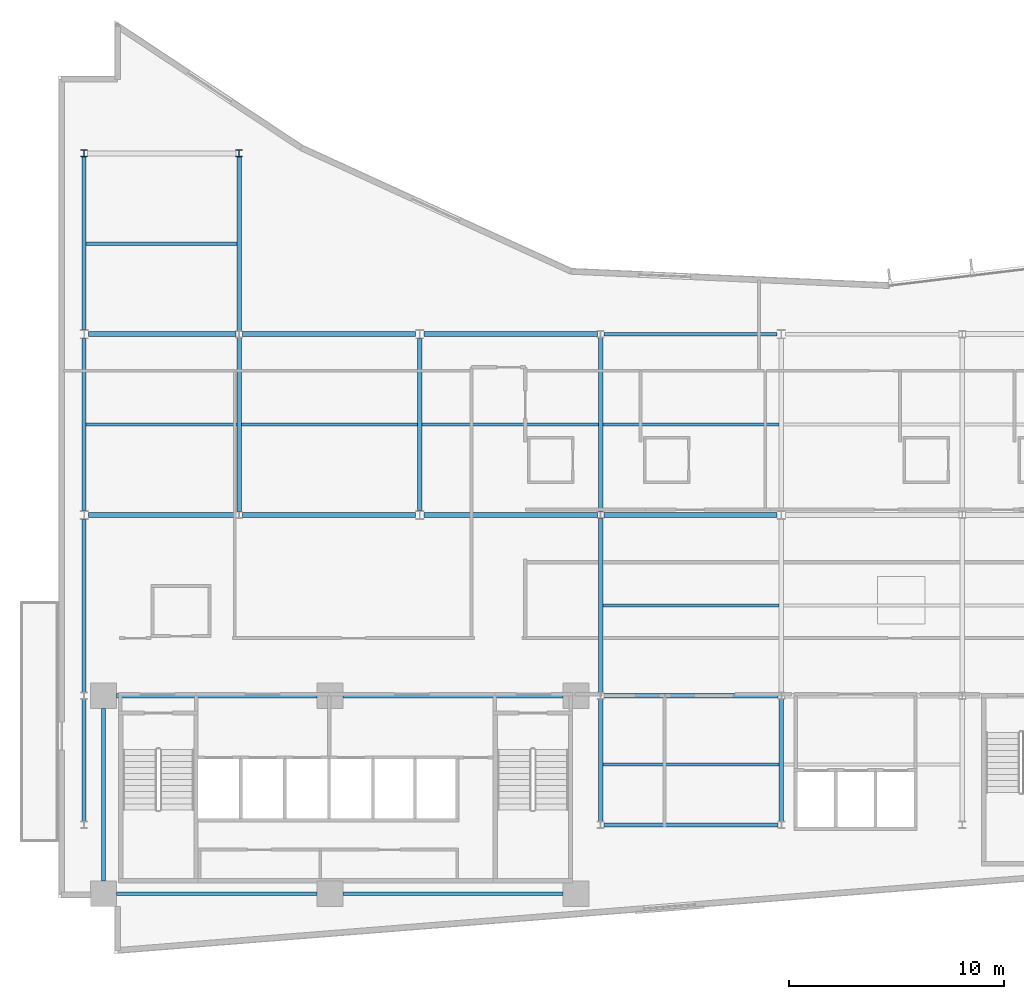
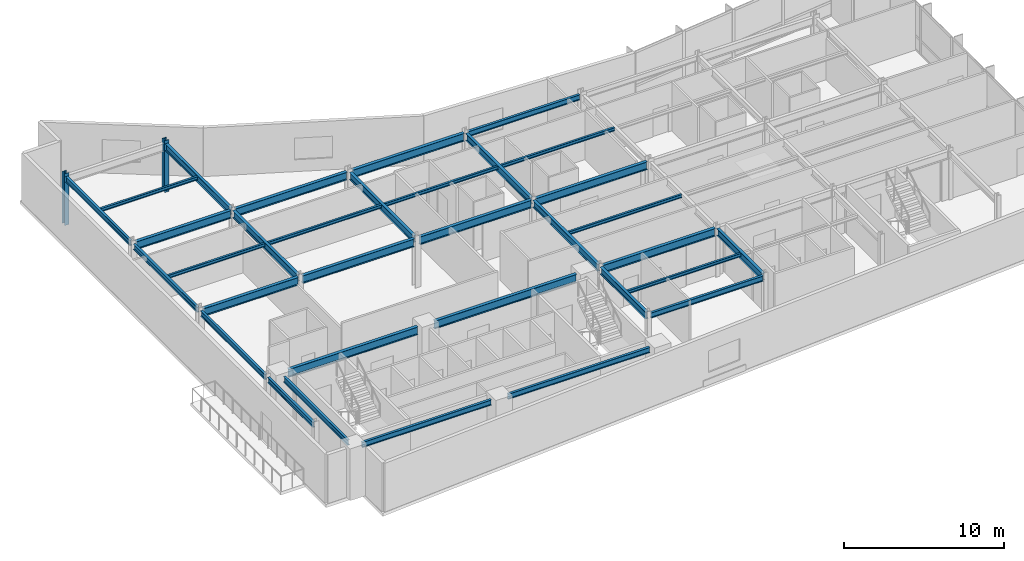
# One storey, part 3 of 18: 33 beams, 2 columns.
"""IFC4 building model written with IfcOpenShell, lengths in metres."""

from ifc_helpers import new_model, si_unit, direction, frame, origin, origin_2d, place, context, subcontext, project, spatial, i_section, extrude, material, material_profile, profile_set, type_object, element, save


model = new_model("IFC4")

# Units and contexts
model_context = context("Model", 3, precision=1e-05, world=origin(), true_north=direction((0.0, 1.0)))
body_context = subcontext(model_context, "Body", "Model", "MODEL_VIEW")
ifc_project = project(units=[si_unit("LENGTHUNIT", "METRE"), si_unit("AREAUNIT", "SQUARE_METRE"), si_unit("VOLUMEUNIT", "CUBIC_METRE"), si_unit("PLANEANGLEUNIT", "RADIAN"), si_unit("MASSUNIT", "GRAM", prefix="KILO")], contexts=[model_context])

# Site, building, storey
site_placement = place(None, origin())
site = spatial("IfcSite", under=ifc_project, at=site_placement, CompositionType="ELEMENT")
building_placement = place(site_placement, origin())
building = spatial("IfcBuilding", under=site, at=building_placement, Name="Varnakote Quay Hospital", CompositionType="ELEMENT")
storey_placement = place(building_placement, frame((0.0, 0.0, 138.89990234375)))
storey = spatial("IfcBuildingStorey", under=building, at=storey_placement, Name="L34", CompositionType="ELEMENT", Elevation=138.89990234375)

# Columns
ifc_material_1 = material(Name="Structural steel AS/NZS 3679.1 Grade 350 L0 (fy 340 MPa)", Category="steel")
ifc_material_profile_1 = material_profile(ifc_material_1, i_section(OverallWidth=0.30908203125, OverallDepth=0.321044921875, WebThickness=0.013916015625, FlangeThickness=0.021728515625, FilletRadius=0.0166015625, at=origin_2d()), Name="310UC137")
ifc_profile_set_1 = profile_set([ifc_material_profile_1], Name="Structural steel AS/NZS 3679.1 Grade 350 L0 (fy 340 MPa)")
column_type = type_object("IfcColumnType", Name="COL-STL-310UC137", PredefinedType="COLUMN", material=ifc_profile_set_1)
for number, where, z_axis, x_axis, name in (
    (1, (1.199951171875, 37.199951171875, 0.0), (0.0, 0.0, 1.0), (1.0, 0.0, 0.0), "L34 Structural Column C-1-37"),
    (2, (8.39990234375, 37.199951171875, 0.0), (0.0, 0.0, 1.0), (1.0, 0.0, 0.0), "L34 Structural Column C-8-37"),
):
    element("IfcColumn", number, at=place(storey_placement, frame(where, z_axis=z_axis, x_axis=x_axis)), inside=storey, type_object=column_type, Name=name, PredefinedType="COLUMN", context=body_context, shape_type="SweptSolid", body=[
        extrude(i_section(OverallWidth=0.30908203125, OverallDepth=0.321044921875, WebThickness=0.013916015625, FlangeThickness=0.021728515625, FilletRadius=0.0166015625, at=origin_2d()), origin(), (0.0, 0.0, 1.0), 3.9501953125),
    ])

# Beams
ifc_material_2 = material(Name="Structural steel AS/NZS 3679.1 Grade 350 L0 (fy 340 MPa)", Category="steel")
ifc_material_profile_2 = material_profile(ifc_material_2, i_section(OverallWidth=0.208984375, OverallDepth=0.532958984375, WebThickness=0.01025390625, FlangeThickness=0.015625, FilletRadius=0.013916015625, at=origin_2d()), Name="530UB92.4")
ifc_profile_set_2 = profile_set([ifc_material_profile_2], Name="Structural steel AS/NZS 3679.1 Grade 350 L0 (fy 340 MPa)")
beam_type_1 = type_object("IfcBeamType", Name="BM-STL-530UB92-4", PredefinedType="BEAM", material=ifc_profile_set_2)
beam_1_placement = place(storey_placement, frame((8.39990234375, 20.560546875, 3.443603515625), z_axis=(0.0, 1.0, 0.0), x_axis=(-1.0, 0.0, 0.0)))
element("IfcBeam", 3, at=beam_1_placement, inside=storey, type_object=beam_type_1, Name="L34 Primary Tie Beam", PredefinedType="BEAM", context=body_context, shape_type="SweptSolid", body=[
    extrude(i_section(OverallWidth=0.208984375, OverallDepth=0.532958984375, WebThickness=0.01025390625, FlangeThickness=0.015625, FilletRadius=0.013916015625, at=origin_2d()), origin(), (0.0, 0.0, 1.0), 8.078857421875),
])
beam_2_placement = place(storey_placement, frame((8.39990234375, 28.96044921875, 3.443603515625), z_axis=(0.0, 1.0, 0.0), x_axis=(-1.0, 0.0, 0.0)))
element("IfcBeam", 4, at=beam_2_placement, inside=storey, type_object=beam_type_1, Name="L34 Primary Tie Beam", PredefinedType="BEAM", context=body_context, shape_type="SweptSolid", body=[
    extrude(i_section(OverallWidth=0.208984375, OverallDepth=0.532958984375, WebThickness=0.01025390625, FlangeThickness=0.015625, FilletRadius=0.013916015625, at=origin_2d()), origin(), (0.0, 0.0, 1.0), 8.0791015625),
])
beam_3_placement = place(storey_placement, frame((16.800048828125, 20.610107421875, 3.443603515625), z_axis=(0.0, 1.0, 0.0), x_axis=(-1.0, 0.0, 0.0)))
element("IfcBeam", 5, at=beam_3_placement, inside=storey, type_object=beam_type_1, Name="L34 Primary Tie Beam", PredefinedType="BEAM", context=body_context, shape_type="SweptSolid", body=[
    extrude(i_section(OverallWidth=0.208984375, OverallDepth=0.532958984375, WebThickness=0.01025390625, FlangeThickness=0.015625, FilletRadius=0.013916015625, at=origin_2d()), origin(), (0.0, 0.0, 1.0), 7.97998046875),
])
beam_4_placement = place(storey_placement, frame((25.199951171875, 6.160400390625, 3.443603515625), z_axis=(0.0, 1.0, 0.0), x_axis=(-1.0, 0.0, 0.0)))
element("IfcBeam", 6, at=beam_4_placement, inside=storey, type_object=beam_type_1, Name="L34 Primary Tie Beam", PredefinedType="BEAM", context=body_context, shape_type="SweptSolid", body=[
    extrude(i_section(OverallWidth=0.208984375, OverallDepth=0.532958984375, WebThickness=0.01025390625, FlangeThickness=0.015625, FilletRadius=0.013916015625, at=origin_2d()), origin(), (0.0, 0.0, 1.0), 5.67919921875),
])
beam_5_placement = place(storey_placement, frame((25.199951171875, 12.160400390625, 3.443603515625), z_axis=(0.0, 1.0, 0.0), x_axis=(-1.0, 0.0, 0.0)))
element("IfcBeam", 7, at=beam_5_placement, inside=storey, type_object=beam_type_1, Name="L34 Primary Tie Beam", PredefinedType="BEAM", context=body_context, shape_type="SweptSolid", body=[
    extrude(i_section(OverallWidth=0.208984375, OverallDepth=0.532958984375, WebThickness=0.01025390625, FlangeThickness=0.015625, FilletRadius=0.013916015625, at=origin_2d()), origin(), (0.0, 0.0, 1.0), 8.0791015625),
])
beam_6_placement = place(storey_placement, frame((25.199951171875, 20.560546875, 3.443603515625), z_axis=(0.0, 1.0, 0.0), x_axis=(-1.0, 0.0, 0.0)))
element("IfcBeam", 8, at=beam_6_placement, inside=storey, type_object=beam_type_1, Name="L34 Primary Tie Beam", PredefinedType="BEAM", context=body_context, shape_type="SweptSolid", body=[
    extrude(i_section(OverallWidth=0.208984375, OverallDepth=0.532958984375, WebThickness=0.01025390625, FlangeThickness=0.015625, FilletRadius=0.013916015625, at=origin_2d()), origin(), (0.0, 0.0, 1.0), 8.078857421875),
])
beam_7_placement = place(storey_placement, frame((33.60009765625, 6.160400390625, 3.443603515625), z_axis=(0.0, 1.0, 0.0), x_axis=(-1.0, 0.0, 0.0)))
element("IfcBeam", 9, at=beam_7_placement, inside=storey, type_object=beam_type_1, Name="L34 Primary Tie Beam", PredefinedType="BEAM", context=body_context, shape_type="SweptSolid", body=[
    extrude(i_section(OverallWidth=0.208984375, OverallDepth=0.532958984375, WebThickness=0.01025390625, FlangeThickness=0.015625, FilletRadius=0.013916015625, at=origin_2d()), origin(), (0.0, 0.0, 1.0), 5.67919921875),
])
ifc_material_3 = material(Name="Structural steel AS/NZS 3679.1 Grade 350 L0 (fy 340 MPa)", Category="steel")
ifc_material_profile_3 = material_profile(ifc_material_3, i_section(OverallWidth=0.22802734375, OverallDepth=0.60205078125, WebThickness=0.010498046875, FlangeThickness=0.014892578125, FilletRadius=0.013916015625, at=origin_2d()), Name="610UB101")
ifc_profile_set_3 = profile_set([ifc_material_profile_3], Name="Structural steel AS/NZS 3679.1 Grade 350 L0 (fy 340 MPa)")
beam_type_2 = type_object("IfcBeamType", Name="BM-STL-610UB101", PredefinedType="BEAM", material=ifc_profile_set_3)
beam_8_placement = place(storey_placement, frame((2.699951171875, 12.0, 3.4091796875), z_axis=(1.0, 0.0, 0.0), x_axis=(0.0, 1.0, 0.0)))
element("IfcBeam", 10, at=beam_8_placement, inside=storey, type_object=beam_type_2, Name="L34 Primary Floor Beam", PredefinedType="BEAM", context=body_context, shape_type="SweptSolid", body=[
    extrude(i_section(OverallWidth=0.22802734375, OverallDepth=0.60205078125, WebThickness=0.010498046875, FlangeThickness=0.014892578125, FilletRadius=0.013916015625, at=origin_2d()), origin(), (0.0, 0.0, 1.0), 9.320068359375),
])
beam_9_placement = place(storey_placement, frame((13.219970703125, 12.0, 3.4091796875), z_axis=(1.0, 0.0, 0.0), x_axis=(0.0, 1.0, 0.0)))
element("IfcBeam", 11, at=beam_9_placement, inside=storey, type_object=beam_type_2, Name="L34 Primary Floor Beam", PredefinedType="BEAM", context=body_context, shape_type="SweptSolid", body=[
    extrude(i_section(OverallWidth=0.22802734375, OverallDepth=0.60205078125, WebThickness=0.010498046875, FlangeThickness=0.014892578125, FilletRadius=0.013916015625, at=origin_2d()), origin(), (0.0, 0.0, 1.0), 10.22998046875),
])
beam_10_placement = place(storey_placement, frame((25.3544921875, 12.0, 3.4091796875), z_axis=(1.0, 0.0, 0.0), x_axis=(0.0, 1.0, 0.0)))
element("IfcBeam", 12, at=beam_10_placement, inside=storey, type_object=beam_type_2, Name="L34 Primary Floor Beam", PredefinedType="BEAM", context=body_context, shape_type="SweptSolid", body=[
    extrude(i_section(OverallWidth=0.22802734375, OverallDepth=0.60205078125, WebThickness=0.010498046875, FlangeThickness=0.014892578125, FilletRadius=0.013916015625, at=origin_2d()), origin(), (0.0, 0.0, 1.0), 8.091064453125),
])
beam_11_placement = place(storey_placement, frame((1.39990234375, 20.39990234375, 3.4091796875), z_axis=(1.0, 0.0, 0.0), x_axis=(0.0, 1.0, 0.0)))
element("IfcBeam", 13, at=beam_11_placement, inside=storey, type_object=beam_type_2, Name="L34 Primary Floor Beam", PredefinedType="BEAM", context=body_context, shape_type="SweptSolid", body=[
    extrude(i_section(OverallWidth=0.22802734375, OverallDepth=0.60205078125, WebThickness=0.010498046875, FlangeThickness=0.014892578125, FilletRadius=0.013916015625, at=origin_2d()), origin(), (0.0, 0.0, 1.0), 6.845703125),
])
beam_12_placement = place(storey_placement, frame((8.554443359375, 20.39990234375, 3.4091796875), z_axis=(1.0, 0.0, 0.0), x_axis=(0.0, 1.0, 0.0)))
element("IfcBeam", 14, at=beam_12_placement, inside=storey, type_object=beam_type_2, Name="L34 Primary Floor Beam", PredefinedType="BEAM", context=body_context, shape_type="SweptSolid", body=[
    extrude(i_section(OverallWidth=0.22802734375, OverallDepth=0.60205078125, WebThickness=0.010498046875, FlangeThickness=0.014892578125, FilletRadius=0.013916015625, at=origin_2d()), origin(), (0.0, 0.0, 1.0), 8.045654296875),
])
for number, where, z_axis, x_axis, name in (
    (15, (17.0, 20.39990234375, 3.4091796875), (1.0, 0.0, 0.0), (0.0, 1.0, 0.0), "L34 Primary Floor Beam"),
    (16, (25.3544921875, 20.39990234375, 3.4091796875), (1.0, 0.0, 0.0), (0.0, 1.0, 0.0), "L34 Primary Floor Beam"),
):
    element("IfcBeam", number, at=place(storey_placement, frame(where, z_axis=z_axis, x_axis=x_axis)), inside=storey, type_object=beam_type_2, Name=name, PredefinedType="BEAM", context=body_context, shape_type="SweptSolid", body=[
        extrude(i_section(OverallWidth=0.22802734375, OverallDepth=0.60205078125, WebThickness=0.010498046875, FlangeThickness=0.014892578125, FilletRadius=0.013916015625, at=origin_2d()), origin(), (0.0, 0.0, 1.0), 8.04541015625),
    ])
beam_13_placement = place(storey_placement, frame((1.39990234375, 28.800048828125, 3.4091796875), z_axis=(1.0, 0.0, 0.0), x_axis=(0.0, 1.0, 0.0)))
element("IfcBeam", 17, at=beam_13_placement, inside=storey, type_object=beam_type_2, Name="L34 Primary Floor Beam", PredefinedType="BEAM", context=body_context, shape_type="SweptSolid", body=[
    extrude(i_section(OverallWidth=0.22802734375, OverallDepth=0.60205078125, WebThickness=0.010498046875, FlangeThickness=0.014892578125, FilletRadius=0.013916015625, at=origin_2d()), origin(), (0.0, 0.0, 1.0), 6.845703125),
])
beam_14_placement = place(storey_placement, frame((8.554443359375, 28.800048828125, 3.4091796875), z_axis=(1.0, 0.0, 0.0), x_axis=(0.0, 1.0, 0.0)))
element("IfcBeam", 18, at=beam_14_placement, inside=storey, type_object=beam_type_2, Name="L34 Primary Floor Beam", PredefinedType="BEAM", context=body_context, shape_type="SweptSolid", body=[
    extrude(i_section(OverallWidth=0.22802734375, OverallDepth=0.60205078125, WebThickness=0.010498046875, FlangeThickness=0.014892578125, FilletRadius=0.013916015625, at=origin_2d()), origin(), (0.0, 0.0, 1.0), 8.045654296875),
])
beam_15_placement = place(storey_placement, frame((17.0, 28.800048828125, 3.4091796875), z_axis=(1.0, 0.0, 0.0), x_axis=(0.0, 1.0, 0.0)))
element("IfcBeam", 19, at=beam_15_placement, inside=storey, type_object=beam_type_2, Name="L34 Primary Floor Beam", PredefinedType="BEAM", context=body_context, shape_type="SweptSolid", body=[
    extrude(i_section(OverallWidth=0.22802734375, OverallDepth=0.60205078125, WebThickness=0.010498046875, FlangeThickness=0.014892578125, FilletRadius=0.013916015625, at=origin_2d()), origin(), (0.0, 0.0, 1.0), 8.04541015625),
])
ifc_material_4 = material(Name="Structural steel AS/NZS 3679.1 Grade 350 L0 (fy 340 MPa)", Category="steel")
ifc_material_profile_4 = material_profile(ifc_material_4, i_section(OverallWidth=0.14599609375, OverallDepth=0.256103515625, WebThickness=0.00634765625, FlangeThickness=0.010986328125, FilletRadius=0.0087890625, at=origin_2d()), Name="250UB37.3")
ifc_profile_set_4 = profile_set([ifc_material_profile_4], Name="Structural steel AS/NZS 3679.1 Grade 350 L0 (fy 340 MPa)")
beam_type_3 = type_object("IfcBeamType", Name="JST-STL-250UB37-3", PredefinedType="JOIST", material=ifc_profile_set_4)
for number, where, z_axis, x_axis, name in (
    (20, (25.304443359375, 8.800048828125, 3.58203125), (1.0, 0.0, 0.0), (0.0, 1.0, 0.0), "L34 Composite Floor Joist"),
    (21, (25.304443359375, 16.199951171875, 3.58203125), (1.0, 0.0, 0.0), (0.0, 1.0, 0.0), "L34 Composite Floor Joist"),
):
    element("IfcBeam", number, at=place(storey_placement, frame(where, z_axis=z_axis, x_axis=x_axis)), inside=storey, type_object=beam_type_3, Name=name, PredefinedType="JOIST", context=body_context, shape_type="SweptSolid", body=[
        extrude(i_section(OverallWidth=0.14599609375, OverallDepth=0.256103515625, WebThickness=0.00634765625, FlangeThickness=0.010986328125, FilletRadius=0.0087890625, at=origin_2d()), origin(), (0.0, 0.0, 1.0), 8.191162109375),
    ])
beam_16_placement = place(storey_placement, frame((1.2890625, 24.60009765625, 3.58203125), z_axis=(1.0, 0.0, 0.0), x_axis=(0.0, 1.0, 0.0)))
element("IfcBeam", 22, at=beam_16_placement, inside=storey, type_object=beam_type_3, Name="L34 Composite Floor Joist", PredefinedType="JOIST", context=body_context, shape_type="SweptSolid", body=[
    extrude(i_section(OverallWidth=0.14599609375, OverallDepth=0.256103515625, WebThickness=0.00634765625, FlangeThickness=0.010986328125, FilletRadius=0.0087890625, at=origin_2d()), origin(), (0.0, 0.0, 1.0), 7.00634765625),
])
beam_17_placement = place(storey_placement, frame((8.50439453125, 24.60009765625, 3.58203125), z_axis=(1.0, 0.0, 0.0), x_axis=(0.0, 1.0, 0.0)))
element("IfcBeam", 23, at=beam_17_placement, inside=storey, type_object=beam_type_3, Name="L34 Composite Floor Joist", PredefinedType="JOIST", context=body_context, shape_type="SweptSolid", body=[
    extrude(i_section(OverallWidth=0.14599609375, OverallDepth=0.256103515625, WebThickness=0.00634765625, FlangeThickness=0.010986328125, FilletRadius=0.0087890625, at=origin_2d()), origin(), (0.0, 0.0, 1.0), 8.191162109375),
])
beam_18_placement = place(storey_placement, frame((16.904541015625, 24.60009765625, 3.58203125), z_axis=(1.0, 0.0, 0.0), x_axis=(0.0, 1.0, 0.0)))
element("IfcBeam", 24, at=beam_18_placement, inside=storey, type_object=beam_type_3, Name="L34 Composite Floor Joist", PredefinedType="JOIST", context=body_context, shape_type="SweptSolid", body=[
    extrude(i_section(OverallWidth=0.14599609375, OverallDepth=0.256103515625, WebThickness=0.00634765625, FlangeThickness=0.010986328125, FilletRadius=0.0087890625, at=origin_2d()), origin(), (0.0, 0.0, 1.0), 8.19091796875),
])
beam_19_placement = place(storey_placement, frame((25.304443359375, 24.60009765625, 3.58203125), z_axis=(1.0, 0.0, 0.0), x_axis=(0.0, 1.0, 0.0)))
element("IfcBeam", 25, at=beam_19_placement, inside=storey, type_object=beam_type_3, Name="L34 Composite Floor Joist", PredefinedType="JOIST", context=body_context, shape_type="SweptSolid", body=[
    extrude(i_section(OverallWidth=0.14599609375, OverallDepth=0.256103515625, WebThickness=0.00634765625, FlangeThickness=0.010986328125, FilletRadius=0.0087890625, at=origin_2d()), origin(), (0.0, 0.0, 1.0), 8.191162109375),
])
beam_20_placement = place(storey_placement, frame((1.2890625, 33.0, 3.58203125), z_axis=(1.0, 0.0, 0.0), x_axis=(0.0, 1.0, 0.0)))
element("IfcBeam", 26, at=beam_20_placement, inside=storey, type_object=beam_type_3, Name="L34 Composite Floor Joist", PredefinedType="JOIST", context=body_context, shape_type="SweptSolid", body=[
    extrude(i_section(OverallWidth=0.14599609375, OverallDepth=0.256103515625, WebThickness=0.00634765625, FlangeThickness=0.010986328125, FilletRadius=0.0087890625, at=origin_2d()), origin(), (0.0, 0.0, 1.0), 7.00634765625),
])
ifc_material_5 = material(Name="Structural steel AS/NZS 3679.1 Grade 350 L0 (fy 340 MPa)", Category="steel")
ifc_material_profile_5 = material_profile(ifc_material_5, i_section(OverallWidth=0.177978515625, OverallDepth=0.403076171875, WebThickness=0.007568359375, FlangeThickness=0.010986328125, FilletRadius=0.011474609375, at=origin_2d()), Name="410UB53.7")
ifc_profile_set_5 = profile_set([ifc_material_profile_5], Name="Structural steel AS/NZS 3679.1 Grade 350 L0 (fy 340 MPa)")
beam_type_4 = type_object("IfcBeamType", Name="SPN-STL-410UB53-7", PredefinedType="SPANDREL", material=ifc_profile_set_5)
beam_21_placement = place(storey_placement, frame((1.199951171875, 6.160400390625, 3.508544921875), z_axis=(0.0, 1.0, 0.0), x_axis=(-1.0, 0.0, 0.0)))
element("IfcBeam", 27, at=beam_21_placement, inside=storey, type_object=beam_type_4, Name="L34 Perimeter Spandrel Beam", PredefinedType="SPANDREL", context=body_context, shape_type="SweptSolid", body=[
    extrude(i_section(OverallWidth=0.177978515625, OverallDepth=0.403076171875, WebThickness=0.007568359375, FlangeThickness=0.010986328125, FilletRadius=0.011474609375, at=origin_2d()), origin(), (0.0, 0.0, 1.0), 5.67919921875),
])
beam_22_placement = place(storey_placement, frame((1.199951171875, 12.160400390625, 3.508544921875), z_axis=(0.0, 1.0, 0.0), x_axis=(-1.0, 0.0, 0.0)))
element("IfcBeam", 28, at=beam_22_placement, inside=storey, type_object=beam_type_4, Name="L34 Perimeter Spandrel Beam", PredefinedType="SPANDREL", context=body_context, shape_type="SweptSolid", body=[
    extrude(i_section(OverallWidth=0.177978515625, OverallDepth=0.403076171875, WebThickness=0.007568359375, FlangeThickness=0.010986328125, FilletRadius=0.011474609375, at=origin_2d()), origin(), (0.0, 0.0, 1.0), 8.029541015625),
])
beam_23_placement = place(storey_placement, frame((1.199951171875, 20.610107421875, 3.508544921875), z_axis=(0.0, 1.0, 0.0), x_axis=(-1.0, 0.0, 0.0)))
element("IfcBeam", 29, at=beam_23_placement, inside=storey, type_object=beam_type_4, Name="L34 Perimeter Spandrel Beam", PredefinedType="SPANDREL", context=body_context, shape_type="SweptSolid", body=[
    extrude(i_section(OverallWidth=0.177978515625, OverallDepth=0.403076171875, WebThickness=0.007568359375, FlangeThickness=0.010986328125, FilletRadius=0.011474609375, at=origin_2d()), origin(), (0.0, 0.0, 1.0), 7.97998046875),
])
beam_24_placement = place(storey_placement, frame((1.199951171875, 29.010009765625, 3.508544921875), z_axis=(0.0, 1.0, 0.0), x_axis=(-1.0, 0.0, 0.0)))
element("IfcBeam", 30, at=beam_24_placement, inside=storey, type_object=beam_type_4, Name="L34 Perimeter Spandrel Beam", PredefinedType="SPANDREL", context=body_context, shape_type="SweptSolid", body=[
    extrude(i_section(OverallWidth=0.177978515625, OverallDepth=0.403076171875, WebThickness=0.007568359375, FlangeThickness=0.010986328125, FilletRadius=0.011474609375, at=origin_2d()), origin(), (0.0, 0.0, 1.0), 8.029541015625),
])
beam_25_placement = place(storey_placement, frame((2.10009765625, 3.39990234375, 3.508544921875), z_axis=(0.0, 1.0, 0.0), x_axis=(-1.0, 0.0, 0.0)))
element("IfcBeam", 31, at=beam_25_placement, inside=storey, type_object=beam_type_4, Name="L34 Perimeter Spandrel Beam", PredefinedType="SPANDREL", context=body_context, shape_type="SweptSolid", body=[
    extrude(i_section(OverallWidth=0.177978515625, OverallDepth=0.403076171875, WebThickness=0.007568359375, FlangeThickness=0.010986328125, FilletRadius=0.011474609375, at=origin_2d()), origin(), (0.0, 0.0, 1.0), 8.0),
])
ifc_material_6 = material(Name="Structural steel AS/NZS 3679.1 Grade 350 L0 (fy 340 MPa)", Category="steel")
ifc_material_profile_6 = material_profile(ifc_material_6, i_section(OverallWidth=0.177978515625, OverallDepth=0.406005859375, WebThickness=0.0078125, FlangeThickness=0.0126953125, FilletRadius=0.011474609375, at=origin_2d()), Name="410UB59.7")
ifc_profile_set_6 = profile_set([ifc_material_profile_6], Name="Structural steel AS/NZS 3679.1 Grade 350 L0 (fy 340 MPa)")
beam_type_5 = type_object("IfcBeamType", Name="SPN-STL-410UB59-7", PredefinedType="SPANDREL", material=ifc_profile_set_6)
beam_26_placement = place(storey_placement, frame((2.699951171875, 2.800048828125, 3.507080078125), z_axis=(1.0, 0.0, 0.0), x_axis=(0.0, 1.0, 0.0)))
element("IfcBeam", 32, at=beam_26_placement, inside=storey, type_object=beam_type_5, Name="L34 Perimeter Spandrel Beam", PredefinedType="SPANDREL", context=body_context, shape_type="SweptSolid", body=[
    extrude(i_section(OverallWidth=0.177978515625, OverallDepth=0.406005859375, WebThickness=0.0078125, FlangeThickness=0.0126953125, FilletRadius=0.011474609375, at=origin_2d()), origin(), (0.0, 0.0, 1.0), 9.320068359375),
])
beam_27_placement = place(storey_placement, frame((13.219970703125, 2.800048828125, 3.507080078125), z_axis=(1.0, 0.0, 0.0), x_axis=(0.0, 1.0, 0.0)))
element("IfcBeam", 33, at=beam_27_placement, inside=storey, type_object=beam_type_5, Name="L34 Perimeter Spandrel Beam", PredefinedType="SPANDREL", context=body_context, shape_type="SweptSolid", body=[
    extrude(i_section(OverallWidth=0.177978515625, OverallDepth=0.406005859375, WebThickness=0.0078125, FlangeThickness=0.0126953125, FilletRadius=0.011474609375, at=origin_2d()), origin(), (0.0, 0.0, 1.0), 10.22998046875),
])
beam_28_placement = place(storey_placement, frame((25.3544921875, 6.0, 3.507080078125), z_axis=(1.0, 0.0, 0.0), x_axis=(0.0, 1.0, 0.0)))
element("IfcBeam", 34, at=beam_28_placement, inside=storey, type_object=beam_type_5, Name="L34 Perimeter Spandrel Beam", PredefinedType="SPANDREL", context=body_context, shape_type="SweptSolid", body=[
    extrude(i_section(OverallWidth=0.177978515625, OverallDepth=0.406005859375, WebThickness=0.0078125, FlangeThickness=0.0126953125, FilletRadius=0.011474609375, at=origin_2d()), origin(), (0.0, 0.0, 1.0), 8.091064453125),
])
beam_29_placement = place(storey_placement, frame((25.3544921875, 28.800048828125, 3.507080078125), z_axis=(1.0, 0.0, 0.0), x_axis=(0.0, 1.0, 0.0)))
element("IfcBeam", 35, at=beam_29_placement, inside=storey, type_object=beam_type_5, Name="L34 Perimeter Spandrel Beam", PredefinedType="SPANDREL", context=body_context, shape_type="SweptSolid", body=[
    extrude(i_section(OverallWidth=0.177978515625, OverallDepth=0.406005859375, WebThickness=0.0078125, FlangeThickness=0.0126953125, FilletRadius=0.011474609375, at=origin_2d()), origin(), (0.0, 0.0, 1.0), 8.04541015625),
])

save(model, "model.ifc")
